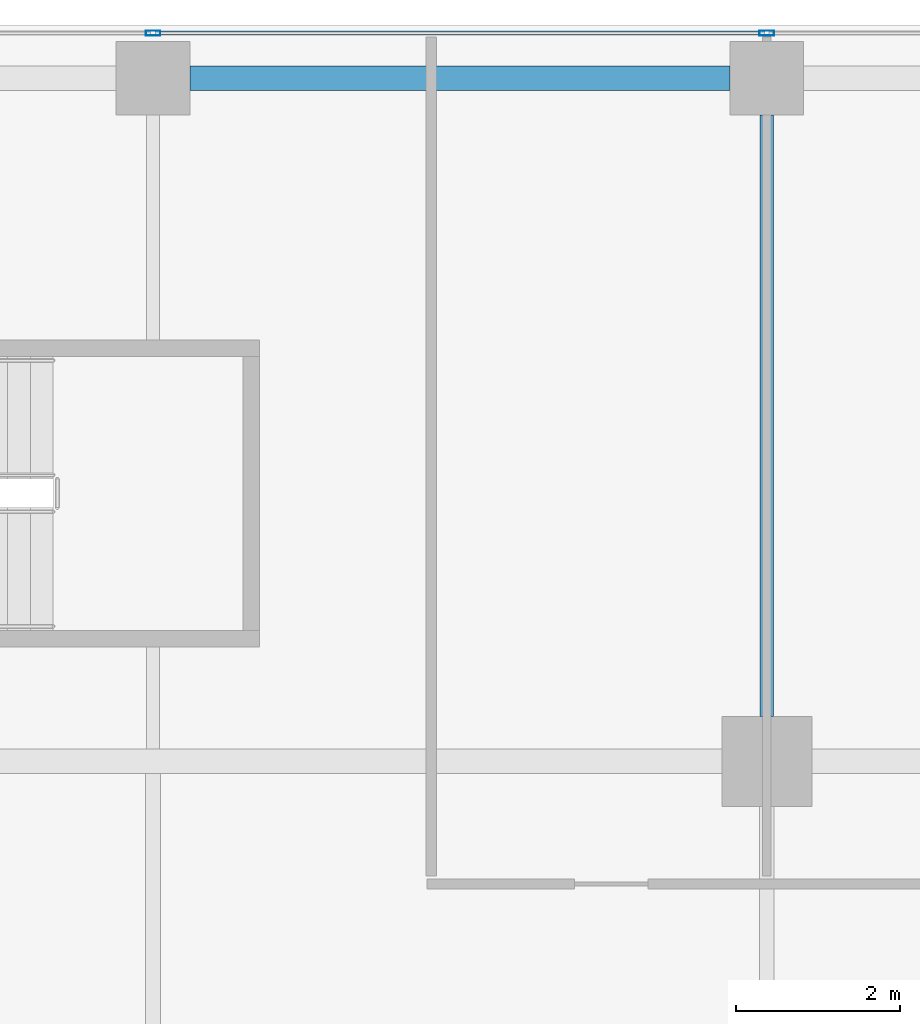
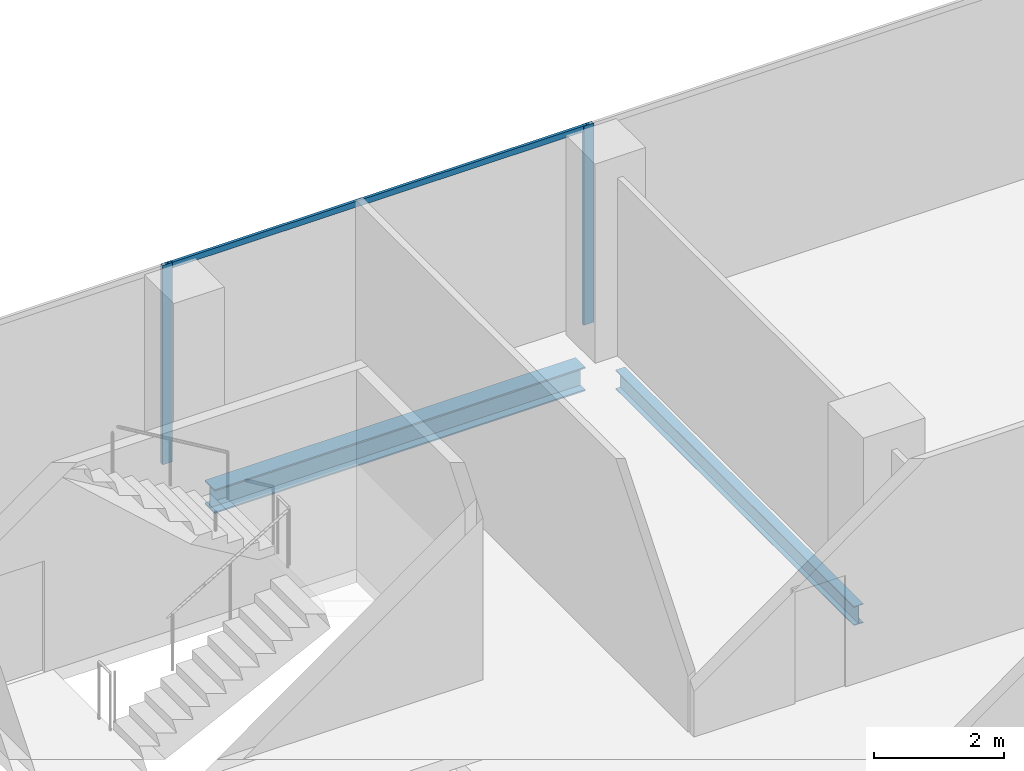
# One storey, part 21 of 36: 3 members, 2 beams, 1 element without a shape of its own.
"""IFC4 building model written with IfcOpenShell, lengths in metres."""

import ifcopenshell
import ifcopenshell.guid

model = None  # the IFC model being written
_history = None  # IfcOwnerHistory: only IFC2X3 demands one
_inside = {}  # id of a spatial element -> (the spatial element, [elements in it])
_under = {}  # id of a project, library or spatial element -> (it, [spatial elements below it])
_declared = {}  # id of a project -> (the project, [libraries it declares])
_typed = {}  # id of a type object -> (the type object, [elements of that type])
_made_of = {}  # id of a material, layer set ... -> (it, [elements and type objects made of it])


def new_model(schema):
    """Start an empty IFC model of exactly this schema.

    Asked for "IFC4X3", IfcOpenShell would pick the latest addendum, in which some entities
    have other attributes; the version numbers below select the first issue.
    IFC2X3 requires an IfcOwnerHistory on every rooted entity: one is made here for all.
    """
    global model, _history
    if schema == "IFC4X3":
        model = ifcopenshell.file(schema_version=(4, 3, 0, 0))
    else:
        model = ifcopenshell.file(schema=schema)
    _inside.clear()
    _under.clear()
    _declared.clear()
    _typed.clear()
    _made_of.clear()
    _history = None
    if model.schema == "IFC2X3":
        org = make("IfcOrganization", Name="unknown")
        user = make(
            "IfcPersonAndOrganization",
            ThePerson=make("IfcPerson", FamilyName="unknown"),
            TheOrganization=org,
        )
        app = make(
            "IfcApplication",
            ApplicationDeveloper=org,
            Version="unknown",
            ApplicationFullName="unknown",
            ApplicationIdentifier="unknown",
        )
        _history = make(
            "IfcOwnerHistory",
            OwningUser=user,
            OwningApplication=app,
            ChangeAction="ADDED",
            CreationDate=0,
        )
    return model


def make(cls, **values):
    """One entity of the class cls with the attributes given. An attribute that is None is left unset."""
    return model.create_entity(
        cls, **{name: value for name, value in values.items() if value is not None}
    )


def rooted(cls, **values):
    """An entity with a GlobalId (a new one), such as an element, a storey or a relation."""
    return make(cls, GlobalId=ifcopenshell.guid.new(), OwnerHistory=_history, **values)


def si_unit(unit_type, name, prefix=None):
    """IfcSIUnit, for example si_unit("LENGTHUNIT", "METRE", prefix="MILLI")."""
    return make("IfcSIUnit", UnitType=unit_type, Prefix=prefix, Name=name)


def assignment(units):
    """IfcUnitAssignment: the units of a project."""
    return None if units is None else make("IfcUnitAssignment", Units=units)


def point(xyz):
    """IfcCartesianPoint."""
    return None if xyz is None else make("IfcCartesianPoint", Coordinates=xyz)


def direction(xyz):
    """IfcDirection."""
    return None if xyz is None else make("IfcDirection", DirectionRatios=xyz)


def frame(location, z_axis=None, x_axis=None):
    """IfcAxis2Placement3D, a coordinate frame: its origin and axes. An axis left out is left unset."""
    return make(
        "IfcAxis2Placement3D",
        Location=point(location),
        Axis=direction(z_axis),
        RefDirection=direction(x_axis),
    )


def frame_2d(location, x_axis=None):
    """IfcAxis2Placement2D, a coordinate frame in the plane: its origin and x axis."""
    return make(
        "IfcAxis2Placement2D", Location=point(location), RefDirection=direction(x_axis)
    )


def origin():
    """The frame at (0, 0, 0) with its axes left unset."""
    return frame((0.0, 0.0, 0.0))


def origin_2d():
    """The frame at (0, 0) in the plane with its x axis left unset."""
    return frame_2d((0.0, 0.0))


def place(relative_to, where):
    """IfcLocalPlacement: puts the frame where relative to a parent placement (None: the world)."""
    return make(
        "IfcLocalPlacement", PlacementRelTo=relative_to, RelativePlacement=where
    )


def context(
    kind, dimensions, precision=None, world=None, true_north=None, identifier=None
):
    """IfcGeometricRepresentationContext, for example the 3D "Model" context."""
    return make(
        "IfcGeometricRepresentationContext",
        ContextIdentifier=identifier,
        ContextType=kind,
        CoordinateSpaceDimension=dimensions,
        Precision=precision,
        WorldCoordinateSystem=world,
        TrueNorth=true_north,
    )


def subcontext(parent, identifier, kind, view, scale=None):
    """IfcGeometricRepresentationSubContext, for example "Body" below "Model"."""
    return make(
        "IfcGeometricRepresentationSubContext",
        ContextIdentifier=identifier,
        ContextType=kind,
        ParentContext=parent,
        TargetScale=scale,
        TargetView=view,
    )


def project(units=None, contexts=None):
    """IfcProject with its units and contexts."""
    return rooted(
        "IfcProject",
        Name="project",
        RepresentationContexts=contexts,
        UnitsInContext=assignment(units),
    )


def spatial(cls, under=None, at=None, **own):
    """A site, building, storey or space (cls), placed at a placement, below another one or the project."""
    s = rooted(cls, ObjectPlacement=at, **own)
    if under is not None:
        _under.setdefault(under.id(), (under, []))[1].append(s)
    return s


def profile(cls, at=None, kind="AREA", **sizes):
    """A parametric profile (cls). Its sizes go by their IFC names, for example OverallWidth=200.0."""
    return make(cls, ProfileType=kind, Position=at, **sizes)


def hollow_rectangle(**sizes):
    """IfcRectangleHollowProfileDef."""
    return profile("IfcRectangleHollowProfileDef", **sizes)


def i_section(**sizes):
    """IfcIShapeProfileDef."""
    return profile("IfcIShapeProfileDef", **sizes)


def extrude(swept, where, along, depth):
    """IfcExtrudedAreaSolid: the profile swept, set in the frame where, extruded along a direction by depth."""
    return make(
        "IfcExtrudedAreaSolid",
        SweptArea=swept,
        Position=where,
        ExtrudedDirection=direction(along),
        Depth=depth,
    )


def shape(context_of_items, identifier, shape_type, items):
    """IfcShapeRepresentation: the items that make up one representation, for example the "Body"."""
    return make(
        "IfcShapeRepresentation",
        ContextOfItems=context_of_items,
        RepresentationIdentifier=identifier,
        RepresentationType=shape_type,
        Items=items,
    )


def source(mapping_origin, context_of_items, identifier, shape_type, items):
    """IfcRepresentationMap: a shape defined once, which mapped items show again and again."""
    return make(
        "IfcRepresentationMap",
        MappingOrigin=mapping_origin,
        MappedRepresentation=shape(context_of_items, identifier, shape_type, items),
    )


def transform(
    local_origin,
    x_axis=None,
    y_axis=None,
    z_axis=None,
    scale=None,
    scale2=None,
    scale3=None,
    uniform=True,
):
    """IfcCartesianTransformationOperator3D, or its non-uniform kind. x_axis, y_axis, z_axis: its Axis1, 2, 3."""
    if uniform:
        return make(
            "IfcCartesianTransformationOperator3D",
            Axis1=direction(x_axis),
            Axis2=direction(y_axis),
            LocalOrigin=point(local_origin),
            Scale=scale,
            Axis3=direction(z_axis),
        )
    return make(
        "IfcCartesianTransformationOperator3DnonUniform",
        Axis1=direction(x_axis),
        Axis2=direction(y_axis),
        LocalOrigin=point(local_origin),
        Scale=scale,
        Axis3=direction(z_axis),
        Scale2=scale2,
        Scale3=scale3,
    )


def mapped(mapping_source, mapping_target):
    """IfcMappedItem: shows the shape of a source again, moved by a transform."""
    return make(
        "IfcMappedItem", MappingSource=mapping_source, MappingTarget=mapping_target
    )


def material(Name=None, Category=None):
    """IfcMaterial."""
    return make("IfcMaterial", Name=Name, Category=Category)


def material_profile(
    of_material, cross_section, Name=None, Category=None, Priority=None
):
    """IfcMaterialProfile: a cross section and its material."""
    return make(
        "IfcMaterialProfile",
        Name=Name,
        Material=of_material,
        Profile=cross_section,
        Priority=Priority,
        Category=Category,
    )


def profile_set(profiles, Name=None, composite=None):
    """IfcMaterialProfileSet."""
    return make(
        "IfcMaterialProfileSet",
        Name=Name,
        MaterialProfiles=profiles,
        CompositeProfile=composite,
    )


def made_of(thing, what):
    """Note that an element or type object is made of a material, layer set ...; save() writes the relation."""
    if what is not None:
        _made_of.setdefault(what.id(), (what, []))[1].append(thing)
    return thing


def type_object(cls, material=None, **own):
    """A type object (cls), such as IfcWallType, which elements share."""
    return made_of(rooted(cls, **own), material)


def element(
    cls,
    number,
    at=None,
    inside=None,
    cuts=None,
    type_object=None,
    material=None,
    context=None,
    identifier="Body",
    shape_type=None,
    held_by="IfcProductDefinitionShape",
    body=None,
    shapes=None,
    **own,
):
    """One element of the class cls, such as IfcWall. Its Tag is "e" and its number.

    at: its placement. inside: the storey or other place that contains it. cuts: it is an
    opening in that element (IfcRelVoidsElement). A single representation is given by context,
    identifier, shape_type and body (its items); several are given by shapes. held_by: the class
    of the entity that holds the representations. save() writes the other relations.
    """
    e = rooted(cls, Tag="e%d" % number, ObjectPlacement=at, **own)
    if body is not None:
        shapes = [shape(context, identifier, shape_type, body)]
    if shapes is not None:
        e.Representation = make(held_by, Representations=shapes)
    if inside is not None:
        _inside.setdefault(inside.id(), (inside, []))[1].append(e)
    if cuts is not None:
        rooted(
            "IfcRelVoidsElement", RelatingBuildingElement=cuts, RelatedOpeningElement=e
        )
    if type_object is not None:
        _typed.setdefault(type_object.id(), (type_object, []))[1].append(e)
    return made_of(e, material)


def aggregate(whole, parts):
    """IfcRelAggregates: a whole, such as a stair, and the parts it consists of."""
    return rooted("IfcRelAggregates", RelatingObject=whole, RelatedObjects=parts)


def save(model, path):
    """Write the relations noted so far, then the file.

    IfcRelAggregates (storeys below a building ...), IfcRelContainedInSpatialStructure (elements
    in a storey), IfcRelDefinesByType, IfcRelAssociatesMaterial and IfcRelDeclares: one each for
    every whole, place, type object, material and project.
    """
    for whole, parts in _under.values():
        aggregate(whole, parts)
    for where, things in _inside.values():
        rooted(
            "IfcRelContainedInSpatialStructure",
            RelatedElements=things,
            RelatingStructure=where,
        )
    for kind, things in _typed.values():
        rooted("IfcRelDefinesByType", RelatedObjects=things, RelatingType=kind)
    for what, things in _made_of.values():
        rooted("IfcRelAssociatesMaterial", RelatedObjects=things, RelatingMaterial=what)
    for by, libraries in _declared.values():
        rooted("IfcRelDeclares", RelatingContext=by, RelatedDefinitions=libraries)
    model.write(path)


model = new_model("IFC4")

# Units and contexts
model_context = context("Model", 3, precision=1e-05, world=origin(), true_north=direction((0.0, 1.0)))
body_context = subcontext(model_context, "Body", "Model", "MODEL_VIEW")
ifc_project = project(units=[si_unit("LENGTHUNIT", "METRE"), si_unit("AREAUNIT", "SQUARE_METRE"), si_unit("VOLUMEUNIT", "CUBIC_METRE"), si_unit("PLANEANGLEUNIT", "RADIAN"), si_unit("MASSUNIT", "GRAM", prefix="KILO")], contexts=[model_context])

# Site, building, storey
site_placement = place(None, origin())
site = spatial("IfcSite", under=ifc_project, at=site_placement, CompositionType="ELEMENT")
building_placement = place(site_placement, origin())
building = spatial("IfcBuilding", under=site, at=building_placement, Name="Khomas Fold Tower", CompositionType="ELEMENT")
storey_placement = place(building_placement, frame((0.0, 0.0, 226.199951171875)))
storey = spatial("IfcBuildingStorey", under=building, at=storey_placement, Name="L50", CompositionType="ELEMENT", Elevation=226.199951171875)

# Beams
ifc_material_1 = material(Name="Steel S355", Category="steel")
ifc_material_profile_1 = material_profile(ifc_material_1, i_section(OverallWidth=0.300048828125, OverallDepth=0.449951171875, WebThickness=0.013916015625, FlangeThickness=0.02587890625, at=origin_2d()), Name="HE 450 B")
ifc_profile_set_1 = profile_set([ifc_material_profile_1], Name="Steel S355")
beam_type_1 = type_object("IfcBeamType", Name="HE 450 B spandrel SB4", PredefinedType="SPANDREL", material=ifc_profile_set_1)
shared_shape_1 = source(origin(), body_context, "Body", "SweptSolid", [
    extrude(i_section(OverallWidth=0.300048828125, OverallDepth=0.449951171875, WebThickness=0.013916015625, FlangeThickness=0.02587890625, at=origin_2d()), origin(), (0.0, 0.0, 1.0), 6.60009765625),
])
beam_1_placement = place(storey_placement, frame((27.449951171875, 48.85009765625, -0.474853515625), z_axis=(1.0, 0.0, 0.0), x_axis=(0.0, 1.0, 0.0)))
element("IfcBeam", 1, at=beam_1_placement, inside=storey, type_object=beam_type_1, Name="SB4", PredefinedType="SPANDREL", context=body_context, shape_type="MappedRepresentation", body=[
    mapped(shared_shape_1, transform((0.0, 0.0, 0.0))),
])
ifc_material_2 = material(Name="Steel S355", Category="steel")
ifc_material_profile_2 = material_profile(ifc_material_2, i_section(OverallWidth=0.169921875, OverallDepth=0.360107421875, WebThickness=0.008056640625, FlangeThickness=0.0126953125, at=origin_2d()), Name="IPE 360")
ifc_profile_set_2 = profile_set([ifc_material_profile_2], Name="Steel S355")
beam_type_2 = type_object("IfcBeamType", Name="IPE 360 beam JB2", PredefinedType="BEAM", material=ifc_profile_set_2)
shared_shape_2 = source(origin(), body_context, "Body", "SweptSolid", [
    extrude(i_section(OverallWidth=0.169921875, OverallDepth=0.360107421875, WebThickness=0.008056640625, FlangeThickness=0.0126953125, at=origin_2d()), origin(), (0.0, 0.0, 1.0), 7.349853515625),
])
beam_2_placement = place(storey_placement, frame((34.5, 41.050048828125, -0.429931640625), z_axis=(0.0, 1.0, 0.0), x_axis=(-1.0, 0.0, 0.0)))
element("IfcBeam", 2, at=beam_2_placement, inside=storey, type_object=beam_type_2, Name="JB2", PredefinedType="BEAM", context=body_context, shape_type="MappedRepresentation", body=[
    mapped(shared_shape_2, transform((0.0, 0.0, 0.0))),
])

# Curtain wall, members
ifc_material_3 = material(Name="Aluminium framed double glazing", Category="aluminium")
curtain_wall_type = type_object("IfcCurtainWallType", Name="SK-Unitised clear-glass wall, office floors CW2", PredefinedType="NOTDEFINED", material=ifc_material_3)
curtain_wall_placement = place(storey_placement, origin())
curtain_wall = element("IfcCurtainWall", 3, at=curtain_wall_placement, inside=storey, type_object=curtain_wall_type, Name="CW2 run L50 06-0", PredefinedType="NOTDEFINED")
ifc_material_4 = material(Name="Aluminium", Category="aluminium")
ifc_material_profile_3 = material_profile(ifc_material_4, hollow_rectangle(XDim=0.06005859375, YDim=0.179931640625, WallThickness=0.00390625, at=origin_2d()), Name="SK-Unitised clear-glass wall, office floors mullion CW2-M")
ifc_profile_set_3 = profile_set([ifc_material_profile_3], Name="Aluminium")
member_type_1 = type_object("IfcMemberType", Name="SK-Unitised clear-glass wall, office floors mullion CW2-M", PredefinedType="MULLION", material=ifc_profile_set_3)
shared_shape_3 = source(origin(), body_context, "Body", "SweptSolid", [
    extrude(hollow_rectangle(XDim=0.06005859375, YDim=0.179931640625, WallThickness=0.00390625, at=origin_2d()), origin(), (0.0, 0.0, 1.0), 3.75),
])
member_1_placement = place(storey_placement, frame((34.5, 49.39990234375, 0.0), z_axis=(0.0, 0.0, 1.0), x_axis=(0.0, -1.0, 0.0)))
member_1 = element("IfcMember", 4, at=member_1_placement, type_object=member_type_1, Name="CW2 mullion 3", PredefinedType="MULLION", context=body_context, shape_type="MappedRepresentation", body=[
    mapped(shared_shape_3, transform((0.0, 0.0, 0.0))),
])
member_2_placement = place(storey_placement, frame((27.0, 49.39990234375, 0.0), z_axis=(0.0, 0.0, 1.0), x_axis=(0.0, -1.0, 0.0)))
member_2 = element("IfcMember", 5, at=member_2_placement, type_object=member_type_1, Name="CW2 mullion 4", PredefinedType="MULLION", context=body_context, shape_type="MappedRepresentation", body=[
    mapped(shared_shape_3, transform((0.0, 0.0, 0.0))),
])
ifc_material_5 = material(Name="Aluminium", Category="aluminium")
ifc_material_profile_4 = material_profile(ifc_material_5, hollow_rectangle(XDim=0.050048828125, YDim=0.110107421875, WallThickness=0.00390625, at=origin_2d()), Name="SK-Unitised clear-glass wall, office floors transom CW2-T")
ifc_profile_set_4 = profile_set([ifc_material_profile_4], Name="Aluminium")
member_type_2 = type_object("IfcMemberType", Name="SK-Unitised clear-glass wall, office floors transom CW2-T", PredefinedType="USERDEFINED", material=ifc_profile_set_4)
shared_shape_4 = source(origin(), body_context, "Body", "SweptSolid", [
    extrude(hollow_rectangle(XDim=0.050048828125, YDim=0.110107421875, WallThickness=0.00390625, at=origin_2d()), origin(), (0.0, 0.0, 1.0), 7.43994140625),
])
member_3_placement = place(storey_placement, frame((34.469970703125, 49.39990234375, 3.695068359375), z_axis=(-1.0, 0.0, 0.0), x_axis=(0.0, -1.0, 0.0)))
member_3 = element("IfcMember", 6, at=member_3_placement, type_object=member_type_2, Name="CW2 transom 3", ObjectType="TRANSOM", PredefinedType="USERDEFINED", context=body_context, shape_type="MappedRepresentation", body=[
    mapped(shared_shape_4, transform((0.0, 0.0, 0.0))),
])
aggregate(curtain_wall, [member_1, member_2, member_3])

save(model, "model.ifc")
